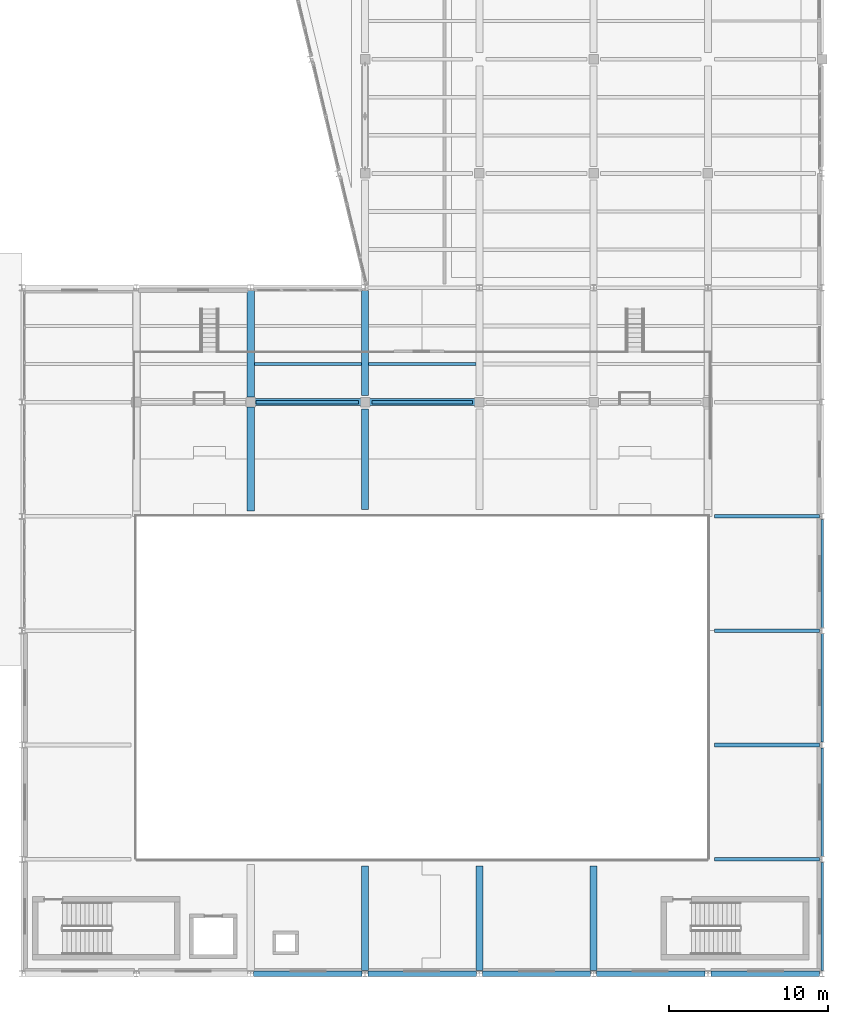
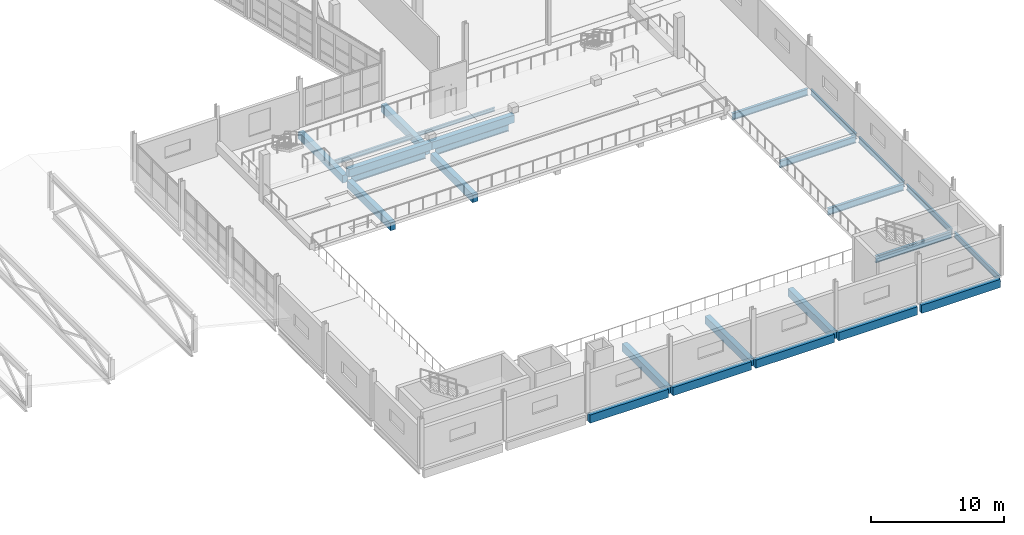
# One storey, part 58 of 123: 26 beams.
"""IFC4 building model written with IfcOpenShell, lengths in metres."""

from ifc_helpers import new_model, si_unit, direction, frame, origin, origin_2d, place, context, subcontext, project, spatial, rectangle, i_section, extrude, material, material_profile, profile_set, type_object, element, save


model = new_model("IFC4")

# Units and contexts
model_context = context("Model", 3, precision=1e-05, world=origin(), true_north=direction((0.0, 1.0)))
body_context = subcontext(model_context, "Body", "Model", "MODEL_VIEW")
ifc_project = project(units=[si_unit("LENGTHUNIT", "METRE"), si_unit("AREAUNIT", "SQUARE_METRE"), si_unit("VOLUMEUNIT", "CUBIC_METRE"), si_unit("PLANEANGLEUNIT", "RADIAN"), si_unit("MASSUNIT", "GRAM", prefix="KILO")], contexts=[model_context])

# Site, building, storey
site_placement = place(None, origin())
site = spatial("IfcSite", under=ifc_project, at=site_placement, CompositionType="ELEMENT")
building_placement = place(site_placement, origin())
building = spatial("IfcBuilding", under=site, at=building_placement, Name="Kalmorath City Hall", CompositionType="ELEMENT")
storey_placement = place(building_placement, frame((0.0, 0.0, 10.199951171875)))
storey = spatial("IfcBuildingStorey", under=building, at=storey_placement, Name="L02", CompositionType="ELEMENT", Elevation=10.199951171875)

# Beams
ifc_material_1 = material(Name="Concrete C40/50", Category="concrete")
ifc_material_profile_1 = material_profile(ifc_material_1, rectangle(XDim=0.449951171875, YDim=0.699951171875, at=origin_2d()), Name="RC-BM-450X700")
ifc_profile_set_1 = profile_set([ifc_material_profile_1], Name="Concrete C40/50")
beam_type_1 = type_object("IfcBeamType", Name="Concrete floor beam 450x700", PredefinedType="BEAM", material=ifc_profile_set_1)
for number, where, z_axis, x_axis, name in (
    (1, (129.60009765625, 36.0, 0.16015625), (1.0, 0.0, 0.0), (0.0, 1.0, 0.0), "L02 gallery tier T2 support beam 129"),
    (2, (136.800048828125, 36.0, 0.16015625), (1.0, 0.0, 0.0), (0.0, 1.0, 0.0), "L02 gallery tier T2 support beam 136"),
):
    element("IfcBeam", number, at=place(storey_placement, frame(where, z_axis=z_axis, x_axis=x_axis)), inside=storey, type_object=beam_type_1, Name=name, PredefinedType="BEAM", context=body_context, shape_type="SweptSolid", body=[
        extrude(rectangle(XDim=0.449951171875, YDim=0.699951171875, at=origin_2d()), origin(), (0.0, 0.0, 1.0), 7.199951171875),
    ])
beam_1_placement = place(storey_placement, frame((129.60009765625, 29.125, -0.634033203125), z_axis=(0.0, 1.0, 0.0), x_axis=(-1.0, 0.0, 0.0)))
element("IfcBeam", 3, at=beam_1_placement, inside=storey, type_object=beam_type_1, Name="L02 girder CB4 Y19/5-6", PredefinedType="BEAM", context=body_context, shape_type="SweptSolid", body=[
    extrude(rectangle(XDim=0.449951171875, YDim=0.699951171875, at=origin_2d()), origin(), (0.0, 0.0, 1.0), 6.550048828125),
])
beam_2_placement = place(storey_placement, frame((129.60009765625, 36.324951171875, -0.634033203125), z_axis=(0.0, 1.0, 0.0), x_axis=(-1.0, 0.0, 0.0)))
element("IfcBeam", 4, at=beam_2_placement, inside=storey, type_object=beam_type_1, Name="L02 girder CB4 Y19/6-7", PredefinedType="BEAM", context=body_context, shape_type="SweptSolid", body=[
    extrude(rectangle(XDim=0.449951171875, YDim=0.699951171875, at=origin_2d()), origin(), (0.0, 0.0, 1.0), 6.68896484375),
])
beam_3_placement = place(storey_placement, frame((136.800048828125, 0.18603515625, -0.634033203125), z_axis=(0.0, 1.0, 0.0), x_axis=(-1.0, 0.0, 0.0)))
element("IfcBeam", 5, at=beam_3_placement, inside=storey, type_object=beam_type_1, Name="L02 girder CB4 Y20/1-2", PredefinedType="BEAM", context=body_context, shape_type="SweptSolid", body=[
    extrude(rectangle(XDim=0.449951171875, YDim=0.699951171875, at=origin_2d()), origin(), (0.0, 0.0, 1.0), 6.5888671875),
])
beam_4_placement = place(storey_placement, frame((136.800048828125, 29.22509765625, -0.634033203125), z_axis=(0.0, 1.0, 0.0), x_axis=(-1.0, 0.0, 0.0)))
element("IfcBeam", 6, at=beam_4_placement, inside=storey, type_object=beam_type_1, Name="L02 girder CB4 Y20/5-6", PredefinedType="BEAM", context=body_context, shape_type="SweptSolid", body=[
    extrude(rectangle(XDim=0.449951171875, YDim=0.699951171875, at=origin_2d()), origin(), (0.0, 0.0, 1.0), 6.349853515625),
])
for number, where, z_axis, x_axis, name in (
    (7, (136.800048828125, 36.425048828125, -0.634033203125), (0.0, 1.0, 0.0), (-1.0, 0.0, 0.0), "L02 girder CB4 Y20/6-7"),
    (8, (144.0, 0.18603515625, -0.634033203125), (0.0, 1.0, 0.0), (-1.0, 0.0, 0.0), "L02 girder CB4 Y21/1-2"),
    (9, (151.199951171875, 0.18603515625, -0.634033203125), (0.0, 1.0, 0.0), (-1.0, 0.0, 0.0), "L02 girder CB4 Y22/1-2"),
):
    element("IfcBeam", number, at=place(storey_placement, frame(where, z_axis=z_axis, x_axis=x_axis)), inside=storey, type_object=beam_type_1, Name=name, PredefinedType="BEAM", context=body_context, shape_type="SweptSolid", body=[
        extrude(rectangle(XDim=0.449951171875, YDim=0.699951171875, at=origin_2d()), origin(), (0.0, 0.0, 1.0), 6.5888671875),
    ])
ifc_material_2 = material(Name="Precast concrete C40/50", Category="concrete")
ifc_material_profile_2 = material_profile(ifc_material_2, rectangle(XDim=0.35009765625, YDim=0.75, at=origin_2d()), Name="PC-SP-350X750")
ifc_profile_set_2 = profile_set([ifc_material_profile_2], Name="Precast concrete C40/50")
beam_type_2 = type_object("IfcBeamType", Name="Precast spandrel lintel 350x750", PredefinedType="LINTEL", material=ifc_profile_set_2)
for number, where, z_axis, x_axis, name in (
    (10, (129.787109375, 0.0, -0.658935546875), (1.0, 0.0, 0.0), (0.0, 1.0, 0.0), "L02 girder PSB1 X19-20/1"),
    (11, (136.987060546875, 0.0, -0.658935546875), (1.0, 0.0, 0.0), (0.0, 1.0, 0.0), "L02 girder PSB1 X20-21/1"),
    (12, (144.18701171875, 0.0, -0.658935546875), (1.0, 0.0, 0.0), (0.0, 1.0, 0.0), "L02 girder PSB1 X21-22/1"),
    (13, (151.386962890625, 0.0, -0.658935546875), (1.0, 0.0, 0.0), (0.0, 1.0, 0.0), "L02 girder PSB1 X22-23/1"),
):
    element("IfcBeam", number, at=place(storey_placement, frame(where, z_axis=z_axis, x_axis=x_axis)), inside=storey, type_object=beam_type_2, Name=name, PredefinedType="LINTEL", context=body_context, shape_type="SweptSolid", body=[
        extrude(rectangle(XDim=0.35009765625, YDim=0.75, at=origin_2d()), origin(), (0.0, 0.0, 1.0), 6.825927734375),
    ])
beam_5_placement = place(storey_placement, frame((158.5869140625, 0.0, -0.658935546875), z_axis=(1.0, 0.0, 0.0), x_axis=(0.0, 1.0, 0.0)))
element("IfcBeam", 14, at=beam_5_placement, inside=storey, type_object=beam_type_2, Name="L02 girder PSB1 X23-24/1", PredefinedType="LINTEL", context=body_context, shape_type="SweptSolid", body=[
    extrude(rectangle(XDim=0.35009765625, YDim=0.75, at=origin_2d()), origin(), (0.0, 0.0, 1.0), 6.826171875),
])
ifc_material_3 = material(Name="Steel ASTM A992 Grade 50", Category="steel")
ifc_material_profile_3 = material_profile(ifc_material_3, i_section(OverallWidth=0.177001953125, OverallDepth=0.403076171875, WebThickness=0.007568359375, FlangeThickness=0.010986328125, FilletRadius=0.012939453125, at=origin_2d()), Name="W16X36")
ifc_profile_set_3 = profile_set([ifc_material_profile_3], Name="Steel ASTM A992 Grade 50")
beam_type_3 = type_object("IfcBeamType", Name="Steel composite joist W16X36", PredefinedType="JOIST", material=ifc_profile_set_3)
beam_6_placement = place(storey_placement, frame((129.824951171875, 38.39990234375, -0.4853515625), z_axis=(1.0, 0.0, 0.0), x_axis=(0.0, 1.0, 0.0)))
element("IfcBeam", 15, at=beam_6_placement, inside=storey, type_object=beam_type_3, Name="L02 joist SJ7 19.6.1", PredefinedType="JOIST", context=body_context, shape_type="SweptSolid", body=[
    extrude(i_section(OverallWidth=0.177001953125, OverallDepth=0.403076171875, WebThickness=0.007568359375, FlangeThickness=0.010986328125, FilletRadius=0.012939453125, at=origin_2d()), origin(), (0.0, 0.0, 1.0), 6.75),
])
ifc_material_4 = material(Name="Steel ASTM A992 Grade 50", Category="steel")
ifc_material_profile_4 = material_profile(ifc_material_4, i_section(OverallWidth=0.22900390625, OverallDepth=0.612060546875, WebThickness=0.011962890625, FlangeThickness=0.01953125, FilletRadius=0.01611328125, at=origin_2d()), Name="W24X84")
ifc_profile_set_4 = profile_set([ifc_material_profile_4], Name="Steel ASTM A992 Grade 50")
beam_type_4 = type_object("IfcBeamType", Name="Steel floor girder W24X84", PredefinedType="BEAM", material=ifc_profile_set_4)
for number, where, z_axis, x_axis, name in (
    (16, (158.824951171875, 7.199951171875, -0.58984375), (1.0, 0.0, 0.0), (0.0, 1.0, 0.0), "L02 girder SG8 X23-24/2"),
    (17, (158.824951171875, 14.39990234375, -0.58984375), (1.0, 0.0, 0.0), (0.0, 1.0, 0.0), "L02 girder SG8 X23-24/3"),
    (18, (158.824951171875, 21.60009765625, -0.58984375), (1.0, 0.0, 0.0), (0.0, 1.0, 0.0), "L02 girder SG8 X23-24/4"),
    (19, (158.824951171875, 28.800048828125, -0.58984375), (1.0, 0.0, 0.0), (0.0, 1.0, 0.0), "L02 girder SG8 X23-24/5"),
):
    element("IfcBeam", number, at=place(storey_placement, frame(where, z_axis=z_axis, x_axis=x_axis)), inside=storey, type_object=beam_type_4, Name=name, PredefinedType="BEAM", context=body_context, shape_type="SweptSolid", body=[
        extrude(i_section(OverallWidth=0.22900390625, OverallDepth=0.612060546875, WebThickness=0.011962890625, FlangeThickness=0.01953125, FilletRadius=0.01611328125, at=origin_2d()), origin(), (0.0, 0.0, 1.0), 6.588134765625),
    ])
beam_7_placement = place(storey_placement, frame((129.925048828125, 36.0, -0.58984375), z_axis=(1.0, 0.0, 0.0), x_axis=(0.0, 1.0, 0.0)))
element("IfcBeam", 20, at=beam_7_placement, inside=storey, type_object=beam_type_4, Name="L02 girder SG8 X19-20/6", PredefinedType="BEAM", context=body_context, shape_type="SweptSolid", body=[
    extrude(i_section(OverallWidth=0.22900390625, OverallDepth=0.612060546875, WebThickness=0.011962890625, FlangeThickness=0.01953125, FilletRadius=0.01611328125, at=origin_2d()), origin(), (0.0, 0.0, 1.0), 6.449951171875),
])
beam_8_placement = place(storey_placement, frame((137.22509765625, 36.0, -0.58984375), z_axis=(1.0, 0.0, 0.0), x_axis=(0.0, 1.0, 0.0)))
element("IfcBeam", 21, at=beam_8_placement, inside=storey, type_object=beam_type_4, Name="L02 girder SG8 X20-21/6", PredefinedType="BEAM", context=body_context, shape_type="SweptSolid", body=[
    extrude(i_section(OverallWidth=0.22900390625, OverallDepth=0.612060546875, WebThickness=0.011962890625, FlangeThickness=0.01953125, FilletRadius=0.01611328125, at=origin_2d()), origin(), (0.0, 0.0, 1.0), 6.349853515625),
])
ifc_material_5 = material(Name="Steel ASTM A992 Grade 50", Category="steel")
ifc_material_profile_5 = material_profile(ifc_material_5, i_section(OverallWidth=0.1669921875, OverallDepth=0.318115234375, WebThickness=0.007568359375, FlangeThickness=0.01318359375, FilletRadius=0.012939453125, at=origin_2d()), Name="W12X35")
ifc_profile_set_5 = profile_set([ifc_material_profile_5], Name="Steel ASTM A992 Grade 50")
beam_type_5 = type_object("IfcBeamType", Name="Steel header lintel W12X35", PredefinedType="LINTEL", material=ifc_profile_set_5)
beam_9_placement = place(storey_placement, frame((137.02490234375, 38.39990234375, -0.44287109375), z_axis=(1.0, 0.0, 0.0), x_axis=(0.0, 1.0, 0.0)))
element("IfcBeam", 22, at=beam_9_placement, inside=storey, type_object=beam_type_5, Name="L02 joist SJ13 20.6.1", PredefinedType="LINTEL", context=body_context, shape_type="SweptSolid", body=[
    extrude(i_section(OverallWidth=0.1669921875, OverallDepth=0.318115234375, WebThickness=0.007568359375, FlangeThickness=0.01318359375, FilletRadius=0.012939453125, at=origin_2d()), origin(), (0.0, 0.0, 1.0), 6.75),
])
ifc_material_6 = material(Name="Steel ASTM A992 Grade 50", Category="steel")
ifc_material_profile_6 = material_profile(ifc_material_6, i_section(OverallWidth=0.1650390625, OverallDepth=0.52490234375, WebThickness=0.0087890625, FlangeThickness=0.011474609375, FilletRadius=0.014892578125, at=origin_2d()), Name="W21X44")
ifc_profile_set_6 = profile_set([ifc_material_profile_6], Name="Steel ASTM A992 Grade 50")
beam_type_6 = type_object("IfcBeamType", Name="Steel spandrel beam W21X44", PredefinedType="SPANDREL", material=ifc_profile_set_6)
beam_10_placement = place(storey_placement, frame((165.60009765625, 0.18603515625, -0.54638671875), z_axis=(0.0, 1.0, 0.0), x_axis=(-1.0, 0.0, 0.0)))
element("IfcBeam", 23, at=beam_10_placement, inside=storey, type_object=beam_type_6, Name="L02 girder SB4 Y24/1-2", PredefinedType="SPANDREL", context=body_context, shape_type="SweptSolid", body=[
    extrude(i_section(OverallWidth=0.1650390625, OverallDepth=0.52490234375, WebThickness=0.0087890625, FlangeThickness=0.011474609375, FilletRadius=0.014892578125, at=origin_2d()), origin(), (0.0, 0.0, 1.0), 6.827880859375),
])
for number, where, z_axis, x_axis, name in (
    (24, (165.60009765625, 7.385986328125, -0.54638671875), (0.0, 1.0, 0.0), (-1.0, 0.0, 0.0), "L02 girder SB4 Y24/2-3"),
    (25, (165.60009765625, 14.5859375, -0.54638671875), (0.0, 1.0, 0.0), (-1.0, 0.0, 0.0), "L02 girder SB4 Y24/3-4"),
    (26, (165.60009765625, 21.785888671875, -0.54638671875), (0.0, 1.0, 0.0), (-1.0, 0.0, 0.0), "L02 girder SB4 Y24/4-5"),
):
    element("IfcBeam", number, at=place(storey_placement, frame(where, z_axis=z_axis, x_axis=x_axis)), inside=storey, type_object=beam_type_6, Name=name, PredefinedType="SPANDREL", context=body_context, shape_type="SweptSolid", body=[
        extrude(i_section(OverallWidth=0.1650390625, OverallDepth=0.52490234375, WebThickness=0.0087890625, FlangeThickness=0.011474609375, FilletRadius=0.014892578125, at=origin_2d()), origin(), (0.0, 0.0, 1.0), 6.828125),
    ])

save(model, "model.ifc")
